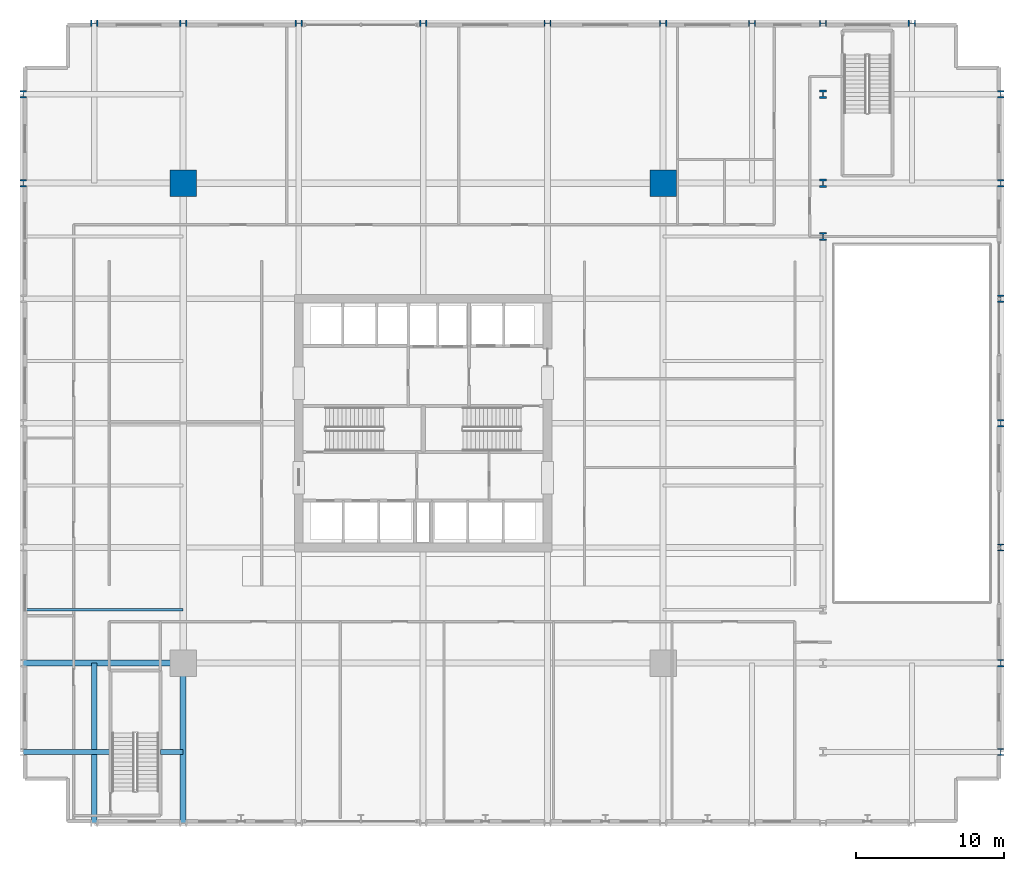
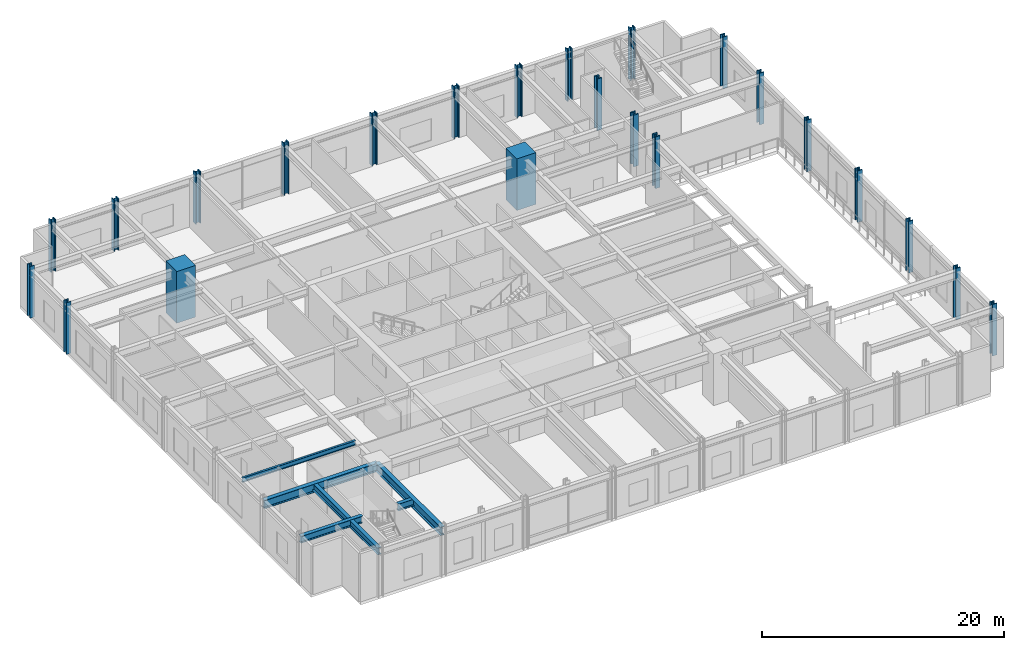
# One storey, part 2 of 21: 23 columns, 6 beams.
"""IFC4 building model written with IfcOpenShell, lengths in metres."""

from ifc_helpers import new_model, si_unit, direction, frame, origin, origin_2d, place, context, subcontext, project, spatial, rectangle, i_section, extrude, material, material_profile, profile_set, type_object, element, save


model = new_model("IFC4")

# Units and contexts
model_context = context("Model", 3, precision=1e-05, world=origin(), true_north=direction((0.0, 1.0)))
body_context = subcontext(model_context, "Body", "Model", "MODEL_VIEW")
ifc_project = project(units=[si_unit("LENGTHUNIT", "METRE"), si_unit("AREAUNIT", "SQUARE_METRE"), si_unit("VOLUMEUNIT", "CUBIC_METRE"), si_unit("PLANEANGLEUNIT", "RADIAN"), si_unit("MASSUNIT", "GRAM", prefix="KILO")], contexts=[model_context])

# Site, building, storey
site_placement = place(None, origin())
site = spatial("IfcSite", under=ifc_project, at=site_placement, CompositionType="ELEMENT")
building_placement = place(site_placement, origin())
building = spatial("IfcBuilding", under=site, at=building_placement, Name="Drelvath Grand Hotel", CompositionType="ELEMENT")
storey_placement = place(building_placement, frame((0.0, 0.0, 22.39990234375)))
storey = spatial("IfcBuildingStorey", under=building, at=storey_placement, Name="L04", CompositionType="ELEMENT", Elevation=22.39990234375)

# Columns
ifc_material_1 = material(Name="Concrete f'c 70 MPa", Category="concrete")
ifc_material_profile_1 = material_profile(ifc_material_1, rectangle(XDim=1.800048828125, YDim=1.800048828125, at=origin_2d()), Name="MC1800X1800")
ifc_profile_set_1 = profile_set([ifc_material_profile_1], Name="Concrete f'c 70 MPa")
column_type_1 = type_object("IfcColumnType", Name="Composite Mega Column MC1800X1800", PredefinedType="COLUMN", material=ifc_profile_set_1)
for number, where, z_axis, x_axis, name in (
    (1, (-16.199951171875, 43.199951171875, 0.0), (0.0, 0.0, 1.0), (1.0, 0.0, 0.0), "L04 Composite Mega Column MC-NW"),
    (2, (16.199951171875, 43.199951171875, 0.0), (0.0, 0.0, 1.0), (1.0, 0.0, 0.0), "L04 Composite Mega Column MC-NE"),
):
    element("IfcColumn", number, at=place(storey_placement, frame(where, z_axis=z_axis, x_axis=x_axis)), inside=storey, type_object=column_type_1, Name=name, PredefinedType="COLUMN", context=body_context, shape_type="SweptSolid", body=[
        extrude(rectangle(XDim=1.800048828125, YDim=1.800048828125, at=origin_2d()), origin(), (0.0, 0.0, 1.0), 5.2001953125),
    ])
ifc_material_2 = material(Name="Steel ASTM A913 Gr 65", Category="steel")
ifc_material_profile_2 = material_profile(ifc_material_2, i_section(OverallWidth=0.43212890625, OverallDepth=0.497802734375, WebThickness=0.0556640625, FlangeThickness=0.0888671875, FilletRadius=0.030029296875, at=origin_2d()), Name="W14X500")
ifc_profile_set_2 = profile_set([ifc_material_profile_2], Name="Steel ASTM A913 Gr 65")
column_type_2 = type_object("IfcColumnType", Name="Perimeter Steel Column W14X500", PredefinedType="COLUMN", material=ifc_profile_set_2)
for number, where, z_axis, x_axis, name in (
    (3, (39.0, 4.800048828125, 0.0), (0.0, 0.0, 1.0), (1.0, 0.0, 0.0), "L04 Structural Column PCE-B"),
    (4, (39.0, 10.800048828125, 0.0), (0.0, 0.0, 1.0), (1.0, 0.0, 0.0), "L04 Structural Column PCE-C"),
    (5, (39.0, 18.60009765625, 0.0), (0.0, 0.0, 1.0), (1.0, 0.0, 0.0), "L04 Structural Column PCE-D"),
    (6, (39.0, 27.0, 0.0), (0.0, 0.0, 1.0), (1.0, 0.0, 0.0), "L04 Structural Column PCE-E"),
    (7, (39.0, 35.39990234375, 0.0), (0.0, 0.0, 1.0), (1.0, 0.0, 0.0), "L04 Structural Column PCE-F"),
    (8, (-27.0, 43.199951171875, 0.0), (0.0, 0.0, 1.0), (1.0, 0.0, 0.0), "L04 Structural Column PCW-G"),
    (9, (39.0, 43.199951171875, 0.0), (0.0, 0.0, 1.0), (1.0, 0.0, 0.0), "L04 Structural Column PCE-G"),
    (10, (-27.0, 49.199951171875, 0.0), (0.0, 0.0, 1.0), (1.0, 0.0, 0.0), "L04 Structural Column PCW-H"),
    (11, (39.0, 49.199951171875, 0.0), (0.0, 0.0, 1.0), (1.0, 0.0, 0.0), "L04 Structural Column PCE-H"),
    (12, (-22.199951171875, 54.0, 0.0), (0.0, 0.0, 1.0), (0.0, 1.0, 0.0), "L04 Structural Column PCN-2"),
    (13, (-16.199951171875, 54.0, 0.0), (0.0, 0.0, 1.0), (0.0, 1.0, 0.0), "L04 Structural Column PCN-3"),
    (14, (-8.39990234375, 54.0, 0.0), (0.0, 0.0, 1.0), (0.0, 1.0, 0.0), "L04 Structural Column PCN-4"),
    (15, (0.0, 54.0, 0.0), (0.0, 0.0, 1.0), (0.0, 1.0, 0.0), "L04 Structural Column PCN-5"),
    (16, (8.39990234375, 54.0, 0.0), (0.0, 0.0, 1.0), (0.0, 1.0, 0.0), "L04 Structural Column PCN-6"),
    (17, (16.199951171875, 54.0, 0.0), (0.0, 0.0, 1.0), (0.0, 1.0, 0.0), "L04 Structural Column PCN-7"),
    (18, (22.199951171875, 54.0, 0.0), (0.0, 0.0, 1.0), (0.0, 1.0, 0.0), "L04 Structural Column PCN-8"),
    (19, (27.0, 54.0, 0.0), (0.0, 0.0, 1.0), (0.0, 1.0, 0.0), "L04 Structural Column PCN-9"),
    (20, (33.0, 54.0, 0.0), (0.0, 0.0, 1.0), (0.0, 1.0, 0.0), "L04 Structural Column PCN-10"),
):
    element("IfcColumn", number, at=place(storey_placement, frame(where, z_axis=z_axis, x_axis=x_axis)), inside=storey, type_object=column_type_2, Name=name, PredefinedType="COLUMN", context=body_context, shape_type="SweptSolid", body=[
        extrude(i_section(OverallWidth=0.43212890625, OverallDepth=0.497802734375, WebThickness=0.0556640625, FlangeThickness=0.0888671875, FilletRadius=0.030029296875, at=origin_2d()), origin(), (0.0, 0.0, 1.0), 5.2001953125),
    ])
ifc_material_profile_3 = material_profile(ifc_material_2, i_section(OverallWidth=0.454345703125, OverallDepth=0.569091796875, WebThickness=0.077880859375, FlangeThickness=0.124755859375, FilletRadius=0.030029296875, at=origin_2d()), Name="W14X730")
ifc_profile_set_3 = profile_set([ifc_material_profile_3], Name="Steel ASTM A913 Gr 65")
column_type_3 = type_object("IfcColumnType", Name="Perimeter Steel Column W14X730", PredefinedType="COLUMN", material=ifc_profile_set_3)
for number, where, z_axis, x_axis, name in (
    (21, (27.0, 39.60009765625, 0.0), (0.0, 0.0, 1.0), (1.0, 0.0, 0.0), "L04 Structural Column PCP9-AT2"),
    (22, (27.0, 43.199951171875, 0.0), (0.0, 0.0, 1.0), (1.0, 0.0, 0.0), "L04 Structural Column PCP9-G"),
    (23, (27.0, 49.199951171875, 0.0), (0.0, 0.0, 1.0), (1.0, 0.0, 0.0), "L04 Structural Column PCP9-H"),
):
    element("IfcColumn", number, at=place(storey_placement, frame(where, z_axis=z_axis, x_axis=x_axis)), inside=storey, type_object=column_type_3, Name=name, PredefinedType="COLUMN", context=body_context, shape_type="SweptSolid", body=[
        extrude(i_section(OverallWidth=0.454345703125, OverallDepth=0.569091796875, WebThickness=0.077880859375, FlangeThickness=0.124755859375, FilletRadius=0.030029296875, at=origin_2d()), origin(), (0.0, 0.0, 1.0), 5.2001953125),
    ])

# Beams
ifc_material_3 = material(Name="Steel ASTM A992 Gr 50", Category="steel")
ifc_material_profile_4 = material_profile(ifc_material_3, i_section(OverallWidth=0.19140625, OverallDepth=0.4599609375, WebThickness=0.010009765625, FlangeThickness=0.01611328125, FilletRadius=0.01611328125, at=origin_2d()), Name="W18X55")
ifc_profile_set_4 = profile_set([ifc_material_profile_4], Name="Steel ASTM A992 Gr 50")
beam_type_1 = type_object("IfcBeamType", Name="Composite Floor Joist W18X55", PredefinedType="JOIST", material=ifc_profile_set_4)
beam_1_placement = place(storey_placement, frame((-27.0, 14.39990234375, 4.6201171875), z_axis=(1.0, 0.0, 0.0), x_axis=(0.0, 1.0, 0.0)))
element("IfcBeam", 24, at=beam_1_placement, inside=storey, type_object=beam_type_1, Name="L04 West Composite Joist J3", PredefinedType="JOIST", context=body_context, shape_type="SweptSolid", body=[
    extrude(i_section(OverallWidth=0.19140625, OverallDepth=0.4599609375, WebThickness=0.010009765625, FlangeThickness=0.01611328125, FilletRadius=0.01611328125, at=origin_2d()), origin(), (0.0, 0.0, 1.0), 10.800048828125),
])
ifc_material_profile_5 = material_profile(ifc_material_3, i_section(OverallWidth=0.354736328125, OverallDepth=0.695556640625, WebThickness=0.015380859375, FlangeThickness=0.025146484375, FilletRadius=0.02392578125, at=origin_2d()), Name="W27X146")
ifc_profile_set_5 = profile_set([ifc_material_profile_5], Name="Steel ASTM A992 Gr 50")
beam_type_2 = type_object("IfcBeamType", Name="Primary Floor Girder W27X146", PredefinedType="BEAM", material=ifc_profile_set_5)
beam_2_placement = place(storey_placement, frame((-27.0, 4.800048828125, 4.502197265625), z_axis=(1.0, 0.0, 0.0), x_axis=(0.0, 1.0, 0.0)))
element("IfcBeam", 25, at=beam_2_placement, inside=storey, type_object=beam_type_2, Name="L04 West Corner Tie B1", PredefinedType="BEAM", context=body_context, shape_type="SweptSolid", body=[
    extrude(i_section(OverallWidth=0.354736328125, OverallDepth=0.695556640625, WebThickness=0.015380859375, FlangeThickness=0.025146484375, FilletRadius=0.02392578125, at=origin_2d()), origin(), (0.0, 0.0, 1.0), 5.89990234375),
])
beam_3_placement = place(storey_placement, frame((-17.739990234375, 4.800048828125, 4.502197265625), z_axis=(1.0, 0.0, 0.0), x_axis=(0.0, 1.0, 0.0)))
element("IfcBeam", 26, at=beam_3_placement, inside=storey, type_object=beam_type_2, Name="L04 West Corner Tie B2", PredefinedType="BEAM", context=body_context, shape_type="SweptSolid", body=[
    extrude(i_section(OverallWidth=0.354736328125, OverallDepth=0.695556640625, WebThickness=0.015380859375, FlangeThickness=0.025146484375, FilletRadius=0.02392578125, at=origin_2d()), origin(), (0.0, 0.0, 1.0), 1.5400390625),
])
beam_4_placement = place(storey_placement, frame((-22.199951171875, 0.0, 4.502197265625), z_axis=(0.0, 1.0, 0.0), x_axis=(-1.0, 0.0, 0.0)))
element("IfcBeam", 27, at=beam_4_placement, inside=storey, type_object=beam_type_2, Name="L04 South Corner Tie 2", PredefinedType="BEAM", context=body_context, shape_type="SweptSolid", body=[
    extrude(i_section(OverallWidth=0.354736328125, OverallDepth=0.695556640625, WebThickness=0.015380859375, FlangeThickness=0.025146484375, FilletRadius=0.02392578125, at=origin_2d()), origin(), (0.0, 0.0, 1.0), 10.800048828125),
])
ifc_material_profile_6 = material_profile(ifc_material_3, i_section(OverallWidth=0.39990234375, OverallDepth=0.85546875, WebThickness=0.018310546875, FlangeThickness=0.029296875, FilletRadius=0.02490234375, at=origin_2d()), Name="W33X201")
ifc_profile_set_6 = profile_set([ifc_material_profile_6], Name="Steel ASTM A992 Gr 50")
beam_type_3 = type_object("IfcBeamType", Name="Primary Floor Girder W33X201", PredefinedType="BEAM", material=ifc_profile_set_6)
for number, where, z_axis, x_axis, name in (
    (28, (-27.0, 10.800048828125, 4.42236328125), (1.0, 0.0, 0.0), (0.0, 1.0, 0.0), "L04 West Podium Girder C"),
    (29, (-16.199951171875, 0.0, 4.42236328125), (0.0, 1.0, 0.0), (-1.0, 0.0, 0.0), "L04 South Podium Girder 3"),
):
    element("IfcBeam", number, at=place(storey_placement, frame(where, z_axis=z_axis, x_axis=x_axis)), inside=storey, type_object=beam_type_3, Name=name, PredefinedType="BEAM", context=body_context, shape_type="SweptSolid", body=[
        extrude(i_section(OverallWidth=0.39990234375, OverallDepth=0.85546875, WebThickness=0.018310546875, FlangeThickness=0.029296875, FilletRadius=0.02490234375, at=origin_2d()), origin(), (0.0, 0.0, 1.0), 10.800048828125),
    ])

save(model, "model.ifc")
